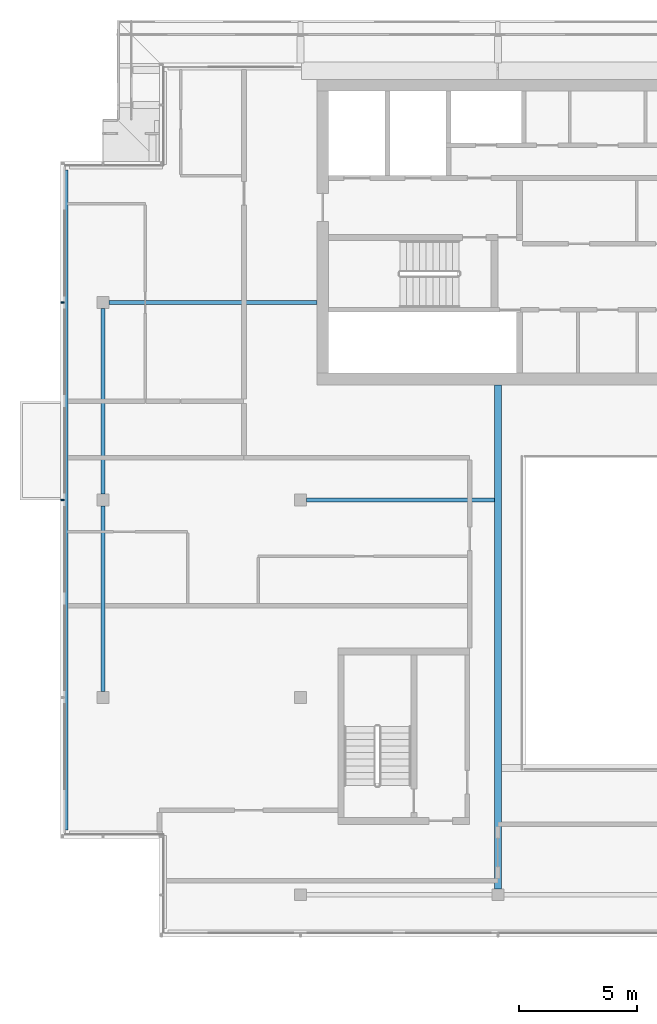
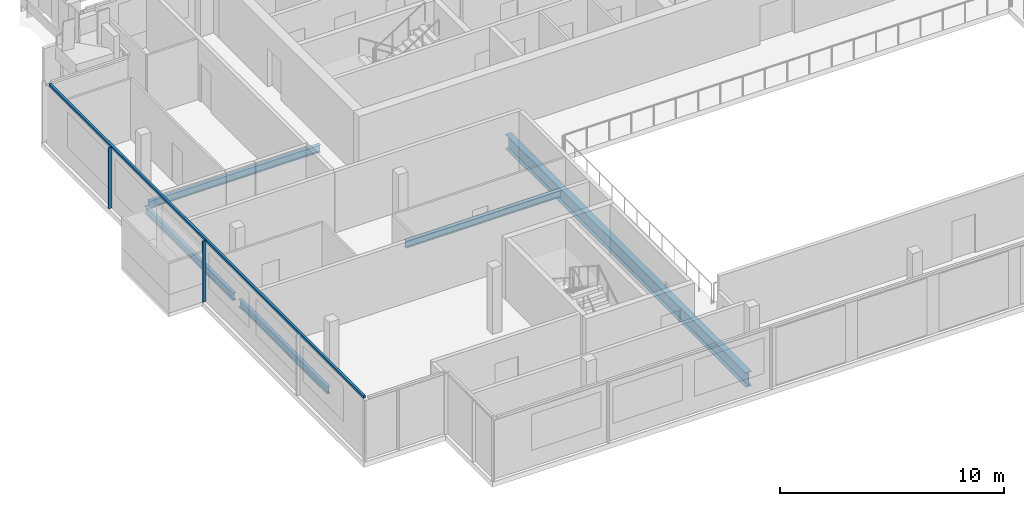
# One storey, part 3 of 21: 5 beams, 3 members, 1 element without a shape of its own.
"""IFC4 building model written with IfcOpenShell, lengths in metres."""

import ifcopenshell
import ifcopenshell.guid

model = None  # the IFC model being written
_history = None  # IfcOwnerHistory: only IFC2X3 demands one
_inside = {}  # id of a spatial element -> (the spatial element, [elements in it])
_under = {}  # id of a project, library or spatial element -> (it, [spatial elements below it])
_declared = {}  # id of a project -> (the project, [libraries it declares])
_typed = {}  # id of a type object -> (the type object, [elements of that type])
_made_of = {}  # id of a material, layer set ... -> (it, [elements and type objects made of it])


def new_model(schema):
    """Start an empty IFC model of exactly this schema.

    Asked for "IFC4X3", IfcOpenShell would pick the latest addendum, in which some entities
    have other attributes; the version numbers below select the first issue.
    IFC2X3 requires an IfcOwnerHistory on every rooted entity: one is made here for all.
    """
    global model, _history
    if schema == "IFC4X3":
        model = ifcopenshell.file(schema_version=(4, 3, 0, 0))
    else:
        model = ifcopenshell.file(schema=schema)
    _inside.clear()
    _under.clear()
    _declared.clear()
    _typed.clear()
    _made_of.clear()
    _history = None
    if model.schema == "IFC2X3":
        org = make("IfcOrganization", Name="unknown")
        user = make(
            "IfcPersonAndOrganization",
            ThePerson=make("IfcPerson", FamilyName="unknown"),
            TheOrganization=org,
        )
        app = make(
            "IfcApplication",
            ApplicationDeveloper=org,
            Version="unknown",
            ApplicationFullName="unknown",
            ApplicationIdentifier="unknown",
        )
        _history = make(
            "IfcOwnerHistory",
            OwningUser=user,
            OwningApplication=app,
            ChangeAction="ADDED",
            CreationDate=0,
        )
    return model


def make(cls, **values):
    """One entity of the class cls with the attributes given. An attribute that is None is left unset."""
    return model.create_entity(
        cls, **{name: value for name, value in values.items() if value is not None}
    )


def rooted(cls, **values):
    """An entity with a GlobalId (a new one), such as an element, a storey or a relation."""
    return make(cls, GlobalId=ifcopenshell.guid.new(), OwnerHistory=_history, **values)


def si_unit(unit_type, name, prefix=None):
    """IfcSIUnit, for example si_unit("LENGTHUNIT", "METRE", prefix="MILLI")."""
    return make("IfcSIUnit", UnitType=unit_type, Prefix=prefix, Name=name)


def assignment(units):
    """IfcUnitAssignment: the units of a project."""
    return None if units is None else make("IfcUnitAssignment", Units=units)


def point(xyz):
    """IfcCartesianPoint."""
    return None if xyz is None else make("IfcCartesianPoint", Coordinates=xyz)


def direction(xyz):
    """IfcDirection."""
    return None if xyz is None else make("IfcDirection", DirectionRatios=xyz)


def frame(location, z_axis=None, x_axis=None):
    """IfcAxis2Placement3D, a coordinate frame: its origin and axes. An axis left out is left unset."""
    return make(
        "IfcAxis2Placement3D",
        Location=point(location),
        Axis=direction(z_axis),
        RefDirection=direction(x_axis),
    )


def frame_2d(location, x_axis=None):
    """IfcAxis2Placement2D, a coordinate frame in the plane: its origin and x axis."""
    return make(
        "IfcAxis2Placement2D", Location=point(location), RefDirection=direction(x_axis)
    )


def origin():
    """The frame at (0, 0, 0) with its axes left unset."""
    return frame((0.0, 0.0, 0.0))


def origin_2d():
    """The frame at (0, 0) in the plane with its x axis left unset."""
    return frame_2d((0.0, 0.0))


def place(relative_to, where):
    """IfcLocalPlacement: puts the frame where relative to a parent placement (None: the world)."""
    return make(
        "IfcLocalPlacement", PlacementRelTo=relative_to, RelativePlacement=where
    )


def context(
    kind, dimensions, precision=None, world=None, true_north=None, identifier=None
):
    """IfcGeometricRepresentationContext, for example the 3D "Model" context."""
    return make(
        "IfcGeometricRepresentationContext",
        ContextIdentifier=identifier,
        ContextType=kind,
        CoordinateSpaceDimension=dimensions,
        Precision=precision,
        WorldCoordinateSystem=world,
        TrueNorth=true_north,
    )


def subcontext(parent, identifier, kind, view, scale=None):
    """IfcGeometricRepresentationSubContext, for example "Body" below "Model"."""
    return make(
        "IfcGeometricRepresentationSubContext",
        ContextIdentifier=identifier,
        ContextType=kind,
        ParentContext=parent,
        TargetScale=scale,
        TargetView=view,
    )


def project(units=None, contexts=None):
    """IfcProject with its units and contexts."""
    return rooted(
        "IfcProject",
        Name="project",
        RepresentationContexts=contexts,
        UnitsInContext=assignment(units),
    )


def spatial(cls, under=None, at=None, **own):
    """A site, building, storey or space (cls), placed at a placement, below another one or the project."""
    s = rooted(cls, ObjectPlacement=at, **own)
    if under is not None:
        _under.setdefault(under.id(), (under, []))[1].append(s)
    return s


def profile(cls, at=None, kind="AREA", **sizes):
    """A parametric profile (cls). Its sizes go by their IFC names, for example OverallWidth=200.0."""
    return make(cls, ProfileType=kind, Position=at, **sizes)


def rectangle(**sizes):
    """IfcRectangleProfileDef."""
    return profile("IfcRectangleProfileDef", **sizes)


def i_section(**sizes):
    """IfcIShapeProfileDef."""
    return profile("IfcIShapeProfileDef", **sizes)


def extrude(swept, where, along, depth):
    """IfcExtrudedAreaSolid: the profile swept, set in the frame where, extruded along a direction by depth."""
    return make(
        "IfcExtrudedAreaSolid",
        SweptArea=swept,
        Position=where,
        ExtrudedDirection=direction(along),
        Depth=depth,
    )


def shape(context_of_items, identifier, shape_type, items):
    """IfcShapeRepresentation: the items that make up one representation, for example the "Body"."""
    return make(
        "IfcShapeRepresentation",
        ContextOfItems=context_of_items,
        RepresentationIdentifier=identifier,
        RepresentationType=shape_type,
        Items=items,
    )


def material(Name=None, Category=None):
    """IfcMaterial."""
    return make("IfcMaterial", Name=Name, Category=Category)


def material_profile(
    of_material, cross_section, Name=None, Category=None, Priority=None
):
    """IfcMaterialProfile: a cross section and its material."""
    return make(
        "IfcMaterialProfile",
        Name=Name,
        Material=of_material,
        Profile=cross_section,
        Priority=Priority,
        Category=Category,
    )


def profile_set(profiles, Name=None, composite=None):
    """IfcMaterialProfileSet."""
    return make(
        "IfcMaterialProfileSet",
        Name=Name,
        MaterialProfiles=profiles,
        CompositeProfile=composite,
    )


def made_of(thing, what):
    """Note that an element or type object is made of a material, layer set ...; save() writes the relation."""
    if what is not None:
        _made_of.setdefault(what.id(), (what, []))[1].append(thing)
    return thing


def type_object(cls, material=None, **own):
    """A type object (cls), such as IfcWallType, which elements share."""
    return made_of(rooted(cls, **own), material)


def element(
    cls,
    number,
    at=None,
    inside=None,
    cuts=None,
    type_object=None,
    material=None,
    context=None,
    identifier="Body",
    shape_type=None,
    held_by="IfcProductDefinitionShape",
    body=None,
    shapes=None,
    **own,
):
    """One element of the class cls, such as IfcWall. Its Tag is "e" and its number.

    at: its placement. inside: the storey or other place that contains it. cuts: it is an
    opening in that element (IfcRelVoidsElement). A single representation is given by context,
    identifier, shape_type and body (its items); several are given by shapes. held_by: the class
    of the entity that holds the representations. save() writes the other relations.
    """
    e = rooted(cls, Tag="e%d" % number, ObjectPlacement=at, **own)
    if body is not None:
        shapes = [shape(context, identifier, shape_type, body)]
    if shapes is not None:
        e.Representation = make(held_by, Representations=shapes)
    if inside is not None:
        _inside.setdefault(inside.id(), (inside, []))[1].append(e)
    if cuts is not None:
        rooted(
            "IfcRelVoidsElement", RelatingBuildingElement=cuts, RelatedOpeningElement=e
        )
    if type_object is not None:
        _typed.setdefault(type_object.id(), (type_object, []))[1].append(e)
    return made_of(e, material)


def aggregate(whole, parts):
    """IfcRelAggregates: a whole, such as a stair, and the parts it consists of."""
    return rooted("IfcRelAggregates", RelatingObject=whole, RelatedObjects=parts)


def save(model, path):
    """Write the relations noted so far, then the file.

    IfcRelAggregates (storeys below a building ...), IfcRelContainedInSpatialStructure (elements
    in a storey), IfcRelDefinesByType, IfcRelAssociatesMaterial and IfcRelDeclares: one each for
    every whole, place, type object, material and project.
    """
    for whole, parts in _under.values():
        aggregate(whole, parts)
    for where, things in _inside.values():
        rooted(
            "IfcRelContainedInSpatialStructure",
            RelatedElements=things,
            RelatingStructure=where,
        )
    for kind, things in _typed.values():
        rooted("IfcRelDefinesByType", RelatedObjects=things, RelatingType=kind)
    for what, things in _made_of.values():
        rooted("IfcRelAssociatesMaterial", RelatedObjects=things, RelatingMaterial=what)
    for by, libraries in _declared.values():
        rooted("IfcRelDeclares", RelatingContext=by, RelatedDefinitions=libraries)
    model.write(path)


model = new_model("IFC4")

# Units and contexts
model_context = context("Model", 3, precision=1e-05, world=origin(), true_north=direction((0.0, 1.0)))
body_context = subcontext(model_context, "Body", "Model", "MODEL_VIEW")
ifc_project = project(units=[si_unit("LENGTHUNIT", "METRE"), si_unit("AREAUNIT", "SQUARE_METRE"), si_unit("VOLUMEUNIT", "CUBIC_METRE"), si_unit("PLANEANGLEUNIT", "RADIAN"), si_unit("MASSUNIT", "GRAM", prefix="KILO")], contexts=[model_context])

# Site, building, storey
site_placement = place(None, origin())
site = spatial("IfcSite", under=ifc_project, at=site_placement, CompositionType="ELEMENT")
building_placement = place(site_placement, origin())
building = spatial("IfcBuilding", under=site, at=building_placement, Name="Saffron Gate Tower", CompositionType="ELEMENT")
storey_placement = place(building_placement, frame((0.0, 0.0, 288.75)))
storey = spatial("IfcBuildingStorey", under=building, at=storey_placement, Name="L70", CompositionType="ELEMENT", Elevation=288.75)

# Beams
ifc_material_1 = material(Name="Structural steel S355", Category="steel")
ifc_material_profile_1 = material_profile(ifc_material_1, i_section(OverallWidth=0.300048828125, OverallDepth=0.7900390625, WebThickness=0.014892578125, FlangeThickness=0.028076171875, FilletRadius=0.030029296875, at=origin_2d()))
ifc_profile_set_1 = profile_set([ifc_material_profile_1], Name="Structural steel S355")
beam_type_1 = type_object("IfcBeamType", Name="B18 HEA 800", PredefinedType="BEAM", material=ifc_profile_set_1)
beam_1_placement = place(storey_placement, frame((75.0, 40.449951171875, -0.675048828125), z_axis=(0.0, 1.0, 0.0), x_axis=(-1.0, 0.0, 0.0)))
element("IfcBeam", 1, at=beam_1_placement, inside=storey, type_object=beam_type_1, Name="B18 ATRIUM GIRDER", PredefinedType="BEAM", context=body_context, shape_type="SweptSolid", body=[
    extrude(i_section(OverallWidth=0.300048828125, OverallDepth=0.7900390625, WebThickness=0.014892578125, FlangeThickness=0.028076171875, FilletRadius=0.030029296875, at=origin_2d()), origin(), (0.0, 0.0, 1.0), 21.449951171875),
])
ifc_material_profile_2 = material_profile(ifc_material_1, i_section(OverallWidth=0.179931640625, OverallDepth=0.39990234375, WebThickness=0.008544921875, FlangeThickness=0.013427734375, FilletRadius=0.02099609375, at=origin_2d()))
ifc_profile_set_2 = profile_set([ifc_material_profile_2], Name="Structural steel S355")
beam_type_2 = type_object("IfcBeamType", Name="B4 IPE 400", PredefinedType="BEAM", material=ifc_profile_set_2)
beam_2_placement = place(storey_placement, frame((66.85009765625, 57.0, -0.47998046875), z_axis=(1.0, 0.0, 0.0), x_axis=(0.0, 1.0, 0.0)))
element("IfcBeam", 2, at=beam_2_placement, inside=storey, type_object=beam_type_2, Name="B4 CORE TIE BEAM", PredefinedType="BEAM", context=body_context, shape_type="SweptSolid", body=[
    extrude(i_section(OverallWidth=0.179931640625, OverallDepth=0.39990234375, WebThickness=0.008544921875, FlangeThickness=0.013427734375, FilletRadius=0.02099609375, at=origin_2d()), origin(), (0.0, 0.0, 1.0), 8.0),
])
beam_3_placement = place(storey_placement, frame((58.449951171875, 65.39990234375, -0.47998046875), z_axis=(1.0, 0.0, 0.0), x_axis=(0.0, 1.0, 0.0)))
element("IfcBeam", 3, at=beam_3_placement, inside=storey, type_object=beam_type_2, Name="B4 CORE TIE BEAM", PredefinedType="BEAM", context=body_context, shape_type="SweptSolid", body=[
    extrude(i_section(OverallWidth=0.179931640625, OverallDepth=0.39990234375, WebThickness=0.008544921875, FlangeThickness=0.013427734375, FilletRadius=0.02099609375, at=origin_2d()), origin(), (0.0, 0.0, 1.0), 8.85009765625),
])
ifc_material_profile_3 = material_profile(ifc_material_1, i_section(OverallWidth=0.179931640625, OverallDepth=0.39990234375, WebThickness=0.008544921875, FlangeThickness=0.013427734375, FilletRadius=0.02099609375, at=origin_2d()))
ifc_profile_set_3 = profile_set([ifc_material_profile_3], Name="Structural steel S355")
beam_type_3 = type_object("IfcBeamType", Name="B5 IPE 400", PredefinedType="SPANDREL", material=ifc_profile_set_3)
for number, where, z_axis, x_axis, name in (
    (4, (58.199951171875, 48.85009765625, -0.47998046875), (0.0, 1.0, 0.0), (-1.0, 0.0, 0.0), "B5 SPANDREL BEAM"),
    (5, (58.199951171875, 57.25, -0.47998046875), (0.0, 1.0, 0.0), (-1.0, 0.0, 0.0), "B5 SPANDREL BEAM"),
):
    element("IfcBeam", number, at=place(storey_placement, frame(where, z_axis=z_axis, x_axis=x_axis)), inside=storey, type_object=beam_type_3, Name=name, PredefinedType="SPANDREL", context=body_context, shape_type="SweptSolid", body=[
        extrude(i_section(OverallWidth=0.179931640625, OverallDepth=0.39990234375, WebThickness=0.008544921875, FlangeThickness=0.013427734375, FilletRadius=0.02099609375, at=origin_2d()), origin(), (0.0, 0.0, 1.0), 7.89990234375),
    ])

# Curtain wall, members
ifc_material_2 = material(Name="Aluminium, bronze anodised", Category="aluminium")
curtain_wall_type = type_object("IfcCurtainWallType", Name="CWS2 curtain wall side facades", PredefinedType="NOTDEFINED", material=ifc_material_2)
curtain_wall_placement = place(storey_placement, origin())
curtain_wall = element("IfcCurtainWall", 6, at=curtain_wall_placement, inside=storey, type_object=curtain_wall_type, Name="CWS2 run 10", PredefinedType="NOTDEFINED")
ifc_material_profile_4 = material_profile(ifc_material_2, rectangle(XDim=0.1201171875, YDim=0.1201171875, at=origin_2d()))
ifc_profile_set_4 = profile_set([ifc_material_profile_4], Name="Aluminium, bronze anodised")
member_type_1 = type_object("IfcMemberType", Name="CWS2 head transom", PredefinedType="USERDEFINED", material=ifc_profile_set_4)
member_1_placement = place(storey_placement, frame((56.64794921875, 71.031982421875, 3.260009765625), z_axis=(0.0, -1.0, 0.0), x_axis=(1.0, 0.0, 0.0)))
member_1 = element("IfcMember", 7, at=member_1_placement, type_object=member_type_1, Name="CWS2 head transom", ObjectType="TRANSOM", PredefinedType="USERDEFINED", context=body_context, shape_type="SweptSolid", body=[
    extrude(rectangle(XDim=0.1201171875, YDim=0.1201171875, at=origin_2d()), origin(), (0.0, 0.0, 1.0), 28.06396484375),
])
ifc_material_profile_5 = material_profile(ifc_material_2, rectangle(XDim=0.159912109375, YDim=0.06005859375, at=origin_2d()))
ifc_profile_set_5 = profile_set([ifc_material_profile_5], Name="Aluminium, bronze anodised")
member_type_2 = type_object("IfcMemberType", Name="CWS2 mullion 60x160", PredefinedType="MULLION", material=ifc_profile_set_5)
member_2_placement = place(storey_placement, frame((56.47998046875, 65.39990234375, 0.0), z_axis=(0.0, 0.0, 1.0), x_axis=(1.0, 0.0, 0.0)))
member_2 = element("IfcMember", 8, at=member_2_placement, type_object=member_type_2, Name="CWS2 mullion 2", PredefinedType="MULLION", context=body_context, shape_type="SweptSolid", body=[
    extrude(rectangle(XDim=0.159912109375, YDim=0.06005859375, at=origin_2d()), origin(), (0.0, 0.0, 1.0), 3.320068359375),
])
member_3_placement = place(storey_placement, frame((56.47998046875, 57.0, 0.0), z_axis=(0.0, 0.0, 1.0), x_axis=(1.0, 0.0, 0.0)))
member_3 = element("IfcMember", 9, at=member_3_placement, type_object=member_type_2, Name="CWS2 mullion 3", PredefinedType="MULLION", context=body_context, shape_type="SweptSolid", body=[
    extrude(rectangle(XDim=0.159912109375, YDim=0.06005859375, at=origin_2d()), origin(), (0.0, 0.0, 1.0), 3.320068359375),
])
aggregate(curtain_wall, [member_2, member_3, member_1])

save(model, "model.ifc")
